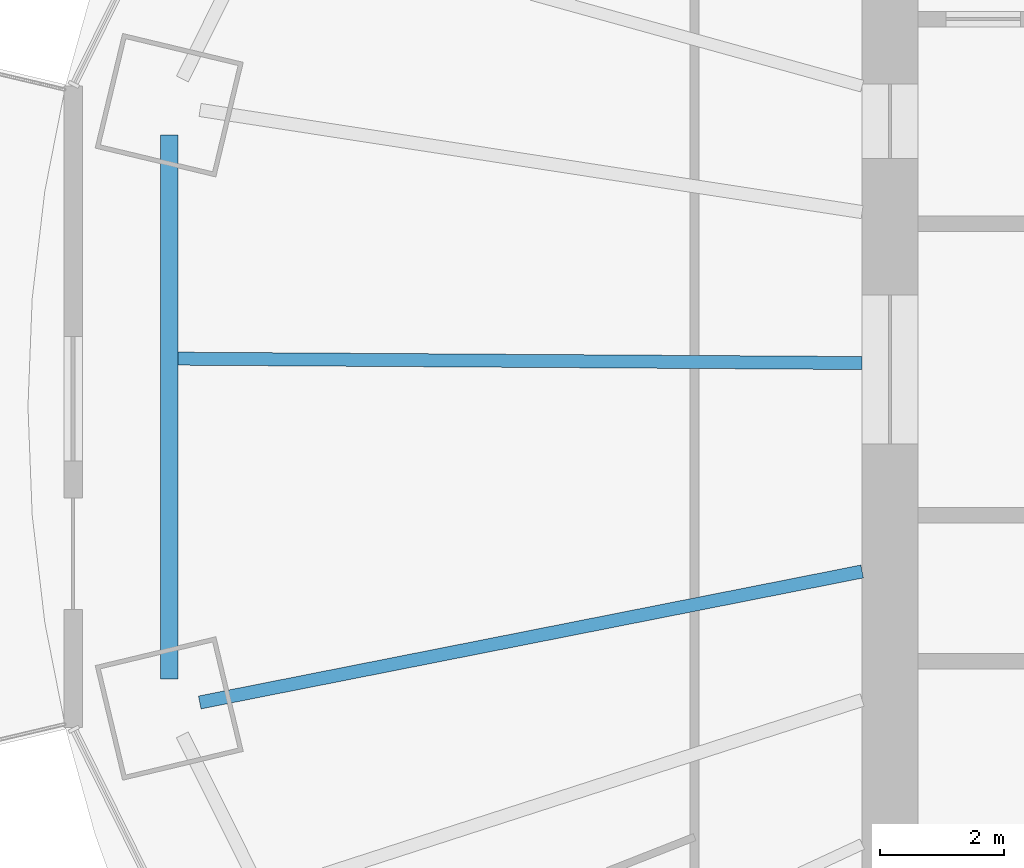
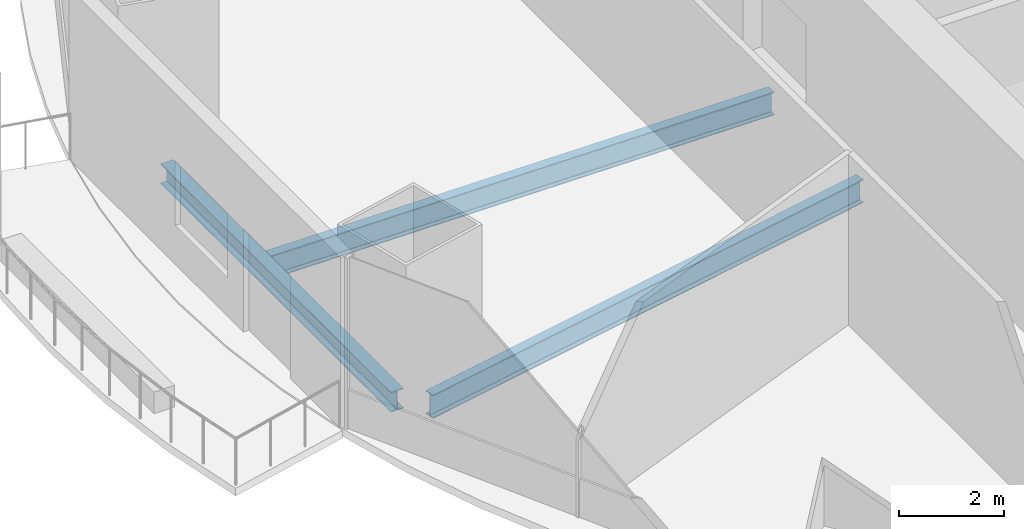
# One storey, part 3 of 21: 3 beams.
"""IFC4 building model written with IfcOpenShell, lengths in metres."""

from ifc_helpers import new_model, si_unit, direction, frame, origin, origin_2d, place, context, subcontext, project, spatial, i_section, extrude, material, material_profile, profile_set, type_object, element, save


model = new_model("IFC4")

# Units and contexts
model_context = context("Model", 3, precision=1e-05, world=origin(), true_north=direction((0.0, 1.0)))
body_context = subcontext(model_context, "Body", "Model", "MODEL_VIEW")
ifc_project = project(units=[si_unit("LENGTHUNIT", "METRE"), si_unit("AREAUNIT", "SQUARE_METRE"), si_unit("VOLUMEUNIT", "CUBIC_METRE"), si_unit("PLANEANGLEUNIT", "RADIAN"), si_unit("MASSUNIT", "GRAM", prefix="KILO")], contexts=[model_context])

# Site, building, storey
site_placement = place(None, origin())
site = spatial("IfcSite", under=ifc_project, at=site_placement, CompositionType="ELEMENT")
building_placement = place(site_placement, origin())
building = spatial("IfcBuilding", under=site, at=building_placement, Name="Marenthal Gate Tower", CompositionType="ELEMENT")
storey_placement = place(building_placement, frame((0.0, 0.0, 202.550048828125)))
storey = spatial("IfcBuildingStorey", under=building, at=storey_placement, Name="L44", CompositionType="ELEMENT", Elevation=202.550048828125)

# Beams
ifc_material_1 = material(Name="Steel S355", Category="steel")
ifc_material_profile_1 = material_profile(ifc_material_1, i_section(OverallWidth=0.279052734375, OverallDepth=0.4619140625, WebThickness=0.0107421875, FlangeThickness=0.017333984375, FilletRadius=0.010009765625, at=origin_2d()), Name="W460X113")
ifc_profile_set_1 = profile_set([ifc_material_profile_1], Name="Steel S355")
beam_type_1 = type_object("IfcBeamType", Name="W460X113 beam", PredefinedType="BEAM", material=ifc_profile_set_1)
beam_1_placement = place(storey_placement, frame((-27.61572265625, 3.78369140625, -0.4111328125), z_axis=(0.0, -1.0, 0.0), x_axis=(1.0, 0.0, 0.0)))
element("IfcBeam", 1, at=beam_1_placement, inside=storey, type_object=beam_type_1, Name="BM-L44-48", PredefinedType="BEAM", context=body_context, shape_type="SweptSolid", body=[
    extrude(i_section(OverallWidth=0.279052734375, OverallDepth=0.4619140625, WebThickness=0.0107421875, FlangeThickness=0.017333984375, FilletRadius=0.010009765625, at=origin_2d()), origin(), (0.0, 0.0, 1.0), 8.767578125),
])
ifc_material_2 = material(Name="Steel S355", Category="steel")
ifc_material_profile_2 = material_profile(ifc_material_2, i_section(OverallWidth=0.2099609375, OverallDepth=0.535888671875, WebThickness=0.010986328125, FlangeThickness=0.017333984375, FilletRadius=0.0126953125, at=origin_2d()), Name="W530X101")
ifc_profile_set_2 = profile_set([ifc_material_profile_2], Name="Steel S355")
beam_type_2 = type_object("IfcBeamType", Name="W530X101 beam", PredefinedType="BEAM", material=ifc_profile_set_2)
beam_2_placement = place(storey_placement, frame((-27.476318359375, 0.1767578125, -0.447998046875), z_axis=(0.999979385739, -0.006420910944, 0.0), x_axis=(0.006420910944, 0.999979385739, 0.0)))
element("IfcBeam", 2, at=beam_2_placement, inside=storey, type_object=beam_type_2, Name="BM-L44-28", PredefinedType="BEAM", context=body_context, shape_type="SweptSolid", body=[
    extrude(i_section(OverallWidth=0.2099609375, OverallDepth=0.535888671875, WebThickness=0.010986328125, FlangeThickness=0.017333984375, FilletRadius=0.0126953125, at=origin_2d()), origin(), (0.0, 0.0, 1.0), 11.026611328125),
])
ifc_material_3 = material(Name="Steel S355", Category="steel")
ifc_material_profile_3 = material_profile(ifc_material_3, i_section(OverallWidth=0.2119140625, OverallDepth=0.5439453125, WebThickness=0.01318359375, FlangeThickness=0.021240234375, FilletRadius=0.0126953125, at=origin_2d()), Name="W530X123")
ifc_profile_set_3 = profile_set([ifc_material_profile_3], Name="Steel S355")
beam_type_3 = type_object("IfcBeamType", Name="W530X123 beam", PredefinedType="BEAM", material=ifc_profile_set_3)
beam_3_placement = place(storey_placement, frame((-27.12451171875, -5.363525390625, -0.4521484375), z_axis=(0.981003804507, 0.193988493328, 0.0), x_axis=(-0.193988493328, 0.981003804507, 0.0)))
element("IfcBeam", 3, at=beam_3_placement, inside=storey, type_object=beam_type_3, Name="BM-L44-09", PredefinedType="BEAM", context=body_context, shape_type="SweptSolid", body=[
    extrude(i_section(OverallWidth=0.2119140625, OverallDepth=0.5439453125, WebThickness=0.01318359375, FlangeThickness=0.021240234375, FilletRadius=0.0126953125, at=origin_2d()), origin(), (0.0, 0.0, 1.0), 10.88134765625),
])

save(model, "model.ifc")
